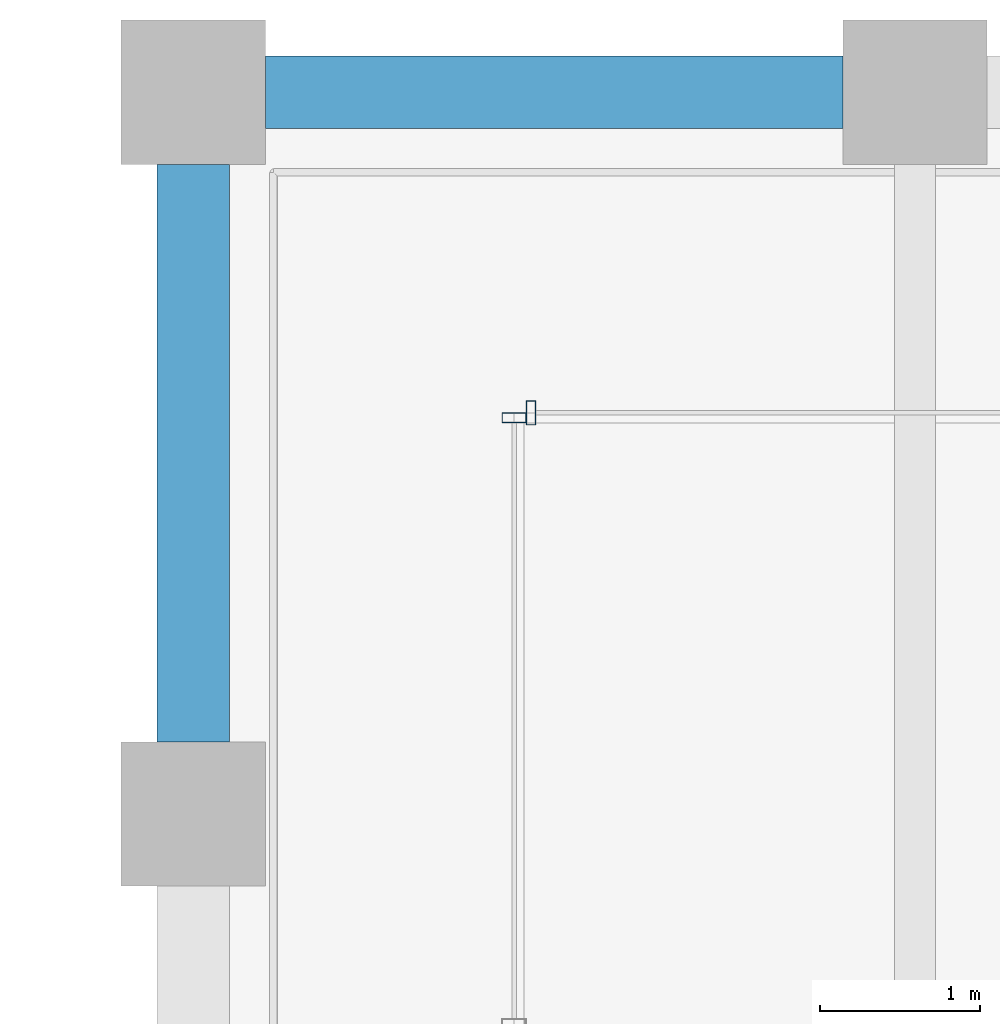
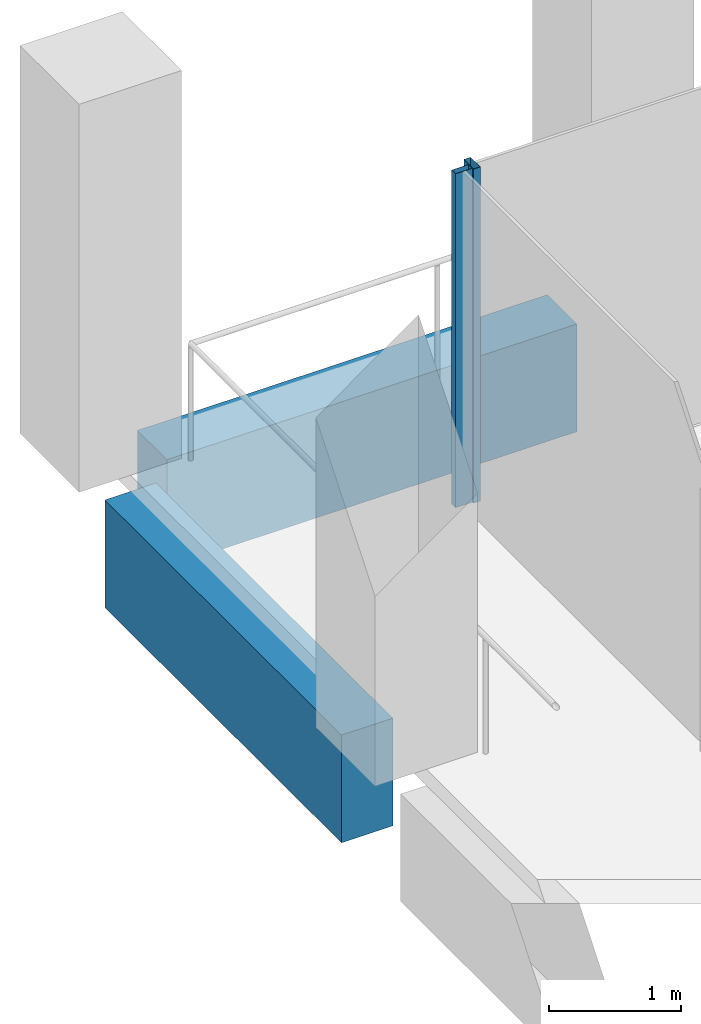
# One storey, part 21 of 40: 2 beams, 2 members, 2 elements without a shape of their own.
"""IFC4 building model written with IfcOpenShell, lengths in metres."""

from ifc_helpers import new_model, si_unit, direction, frame, origin, origin_2d, place, context, subcontext, project, spatial, rectangle, hollow_rectangle, extrude, material, material_profile, profile_set, type_object, element, aggregate, save


model = new_model("IFC4")

# Units and contexts
model_context = context("Model", 3, precision=1e-05, world=origin(), true_north=direction((0.0, 1.0)))
body_context = subcontext(model_context, "Body", "Model", "MODEL_VIEW")
ifc_project = project(units=[si_unit("LENGTHUNIT", "METRE"), si_unit("AREAUNIT", "SQUARE_METRE"), si_unit("VOLUMEUNIT", "CUBIC_METRE"), si_unit("PLANEANGLEUNIT", "RADIAN"), si_unit("MASSUNIT", "GRAM", prefix="KILO")], contexts=[model_context])

# Site, building, storey
site_placement = place(None, origin())
site = spatial("IfcSite", under=ifc_project, at=site_placement, CompositionType="ELEMENT")
building_placement = place(site_placement, origin())
building = spatial("IfcBuilding", under=site, at=building_placement, Name="Altepetl Exchange Towers", CompositionType="ELEMENT")
storey_placement = place(building_placement, frame((0.0, 0.0, 161.800048828125)))
storey = spatial("IfcBuildingStorey", under=building, at=storey_placement, Name="L40", CompositionType="ELEMENT", Elevation=161.800048828125)

# Curtain wall, member
ifc_material_1 = material(Name="Aluminium 6063-T6 glazing", Category="aluminium")
curtain_wall_type = type_object("IfcCurtainWallType", Name="Loggia glazing system", PredefinedType="NOTDEFINED", material=ifc_material_1)
curtain_wall_1_placement = place(storey_placement, origin())
curtain_wall_1 = element("IfcCurtainWall", 1, at=curtain_wall_1_placement, inside=storey, type_object=curtain_wall_type, Name="CW1 run", PredefinedType="NOTDEFINED")
ifc_material_2 = material(Name="Aluminium 6063-T6", Category="aluminium")
ifc_material_profile_1 = material_profile(ifc_material_2, hollow_rectangle(XDim=0.06005859375, YDim=0.14990234375, WallThickness=0.0029296875, at=origin_2d()), Name="Mullion 60x150 aluminium")
ifc_profile_set_1 = profile_set([ifc_material_profile_1], Name="Aluminium 6063-T6")
member_type = type_object("IfcMemberType", Name="Mullion 60x150 aluminium", PredefinedType="MULLION", material=ifc_profile_set_1)
member_1_placement = place(storey_placement, frame((42.60498046875, 70.0, 0.0), z_axis=(0.0, 0.0, 1.0), x_axis=(-1.0, 0.0, 0.0)))
member_1 = element("IfcMember", 2, at=member_1_placement, type_object=member_type, Name="MU1 mullion", PredefinedType="MULLION", context=body_context, shape_type="SweptSolid", body=[
    extrude(hollow_rectangle(XDim=0.06005859375, YDim=0.14990234375, WallThickness=0.0029296875, at=origin_2d()), origin(), (0.0, 0.0, 1.0), 3.099853515625),
])
aggregate(curtain_wall_1, [member_1])

curtain_wall_2_placement = place(storey_placement, origin())
curtain_wall_2 = element("IfcCurtainWall", 3, at=curtain_wall_2_placement, inside=storey, type_object=curtain_wall_type, Name="CW1 run", PredefinedType="NOTDEFINED")
member_2_placement = place(storey_placement, frame((42.5, 69.969970703125, 0.0), z_axis=(0.0, 0.0, 1.0), x_axis=(0.0, -1.0, 0.0)))
member_2 = element("IfcMember", 4, at=member_2_placement, type_object=member_type, Name="MU1 mullion", PredefinedType="MULLION", context=body_context, shape_type="SweptSolid", body=[
    extrude(hollow_rectangle(XDim=0.06005859375, YDim=0.14990234375, WallThickness=0.0029296875, at=origin_2d()), origin(), (0.0, 0.0, 1.0), 3.099853515625),
])
aggregate(curtain_wall_2, [member_2])

# Beams
ifc_material_3 = material(Name="Concrete C50/60 precast with cantera rosa facing", Category="concrete")
ifc_material_profile_2 = material_profile(ifc_material_3, rectangle(XDim=0.449951171875, YDim=1.0, at=origin_2d()), Name="450 x 1000")
ifc_profile_set_2 = profile_set([ifc_material_profile_2], Name="Concrete C50/60 precast with cantera rosa facing")
beam_type_1 = type_object("IfcBeamType", Name="Spandrel beam 450x1000 cantera rosa", PredefinedType="SPANDREL", material=ifc_profile_set_2)
beam_1_placement = place(storey_placement, frame((44.550048828125, 72.0, -0.650146484375), z_axis=(-1.0, 0.0, 0.0), x_axis=(0.0, -1.0, 0.0)))
element("IfcBeam", 5, at=beam_1_placement, inside=storey, type_object=beam_type_1, Name="sp:A:L40:029", PredefinedType="SPANDREL", context=body_context, shape_type="SweptSolid", body=[
    extrude(rectangle(XDim=0.449951171875, YDim=1.0, at=origin_2d()), origin(), (0.0, 0.0, 1.0), 3.60009765625),
])
ifc_material_4 = material(Name="Concrete C50/60 precast with tezontle facing", Category="concrete")
ifc_material_profile_3 = material_profile(ifc_material_4, rectangle(XDim=0.449951171875, YDim=1.0, at=origin_2d()), Name="450 x 1000")
ifc_profile_set_3 = profile_set([ifc_material_profile_3], Name="Concrete C50/60 precast with tezontle facing")
beam_type_2 = type_object("IfcBeamType", Name="Spandrel beam 450x1000 tezontle", PredefinedType="SPANDREL", material=ifc_profile_set_3)
beam_2_placement = place(storey_placement, frame((40.5, 71.550048828125, -0.650146484375), z_axis=(0.0, -1.0, 0.0), x_axis=(1.0, 0.0, 0.0)))
element("IfcBeam", 6, at=beam_2_placement, inside=storey, type_object=beam_type_2, Name="sp:A:L40:030", PredefinedType="SPANDREL", context=body_context, shape_type="SweptSolid", body=[
    extrude(rectangle(XDim=0.449951171875, YDim=1.0, at=origin_2d()), origin(), (0.0, 0.0, 1.0), 3.60009765625),
])

save(model, "model.ifc")
